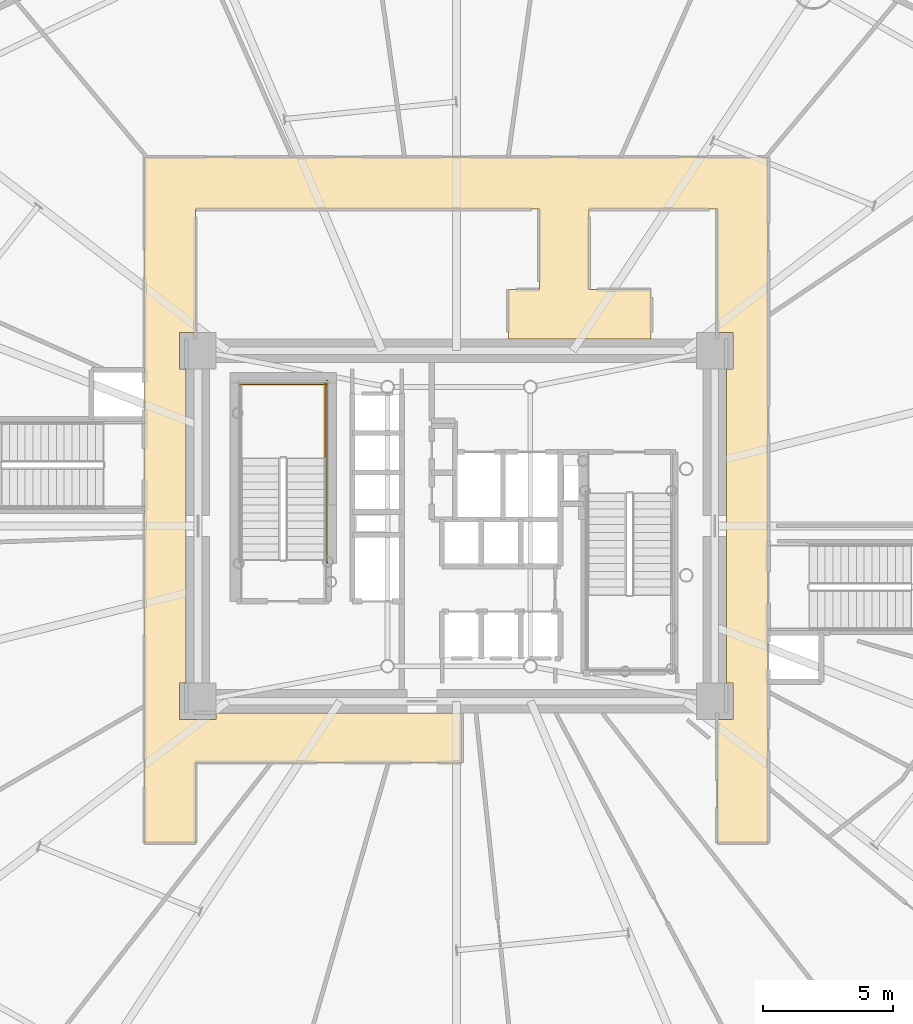
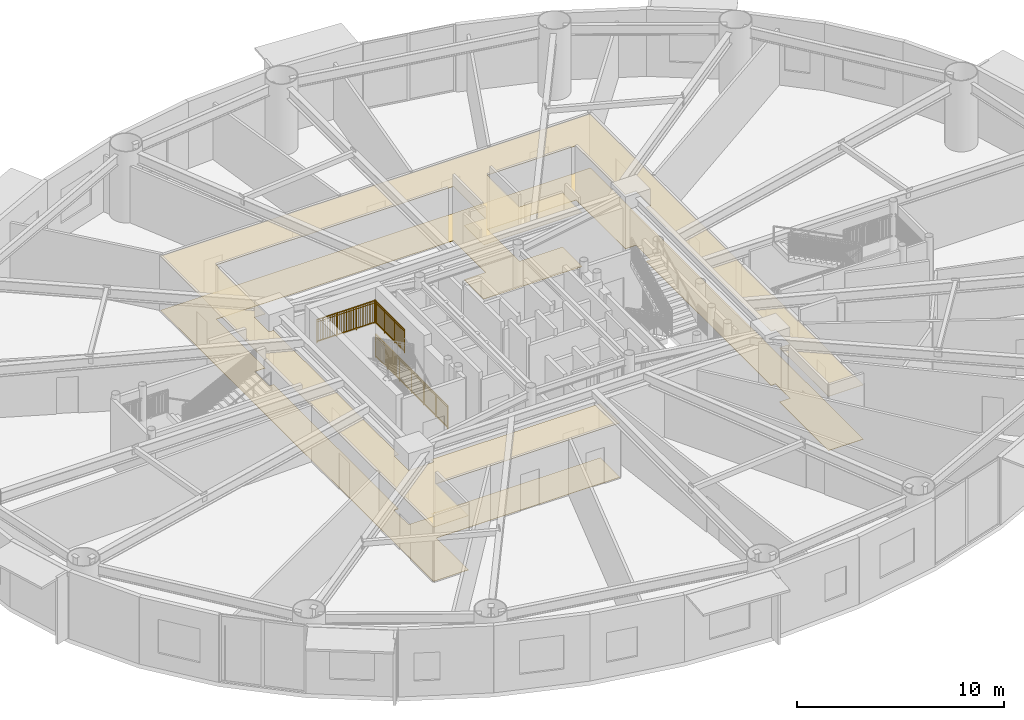
# One storey, part 26 of 32: 3 railings, 2 coverings.
"""IFC4 building model written with IfcOpenShell, lengths in metres."""

from ifc_helpers import new_model, si_unit, direction, frame, origin, origin_2d, place, context, subcontext, project, spatial, polyline, rectangle, outline, extrude, source, transform, mapped, material, layer, layer_set, type_object, element, save


model = new_model("IFC4")

# Units and contexts
model_context = context("Model", 3, precision=1e-05, world=origin(), true_north=direction((0.0, 1.0)))
body_context = subcontext(model_context, "Body", "Model", "MODEL_VIEW")
ifc_project = project(units=[si_unit("LENGTHUNIT", "METRE"), si_unit("AREAUNIT", "SQUARE_METRE"), si_unit("VOLUMEUNIT", "CUBIC_METRE"), si_unit("PLANEANGLEUNIT", "RADIAN"), si_unit("MASSUNIT", "GRAM", prefix="KILO")], contexts=[model_context])

# Site, building, storey
site_placement = place(None, origin())
site = spatial("IfcSite", under=ifc_project, at=site_placement, CompositionType="ELEMENT")
building_placement = place(site_placement, origin())
building = spatial("IfcBuilding", under=site, at=building_placement, Name="Linh Dai School and Residence Tower", CompositionType="ELEMENT")
storey_placement = place(building_placement, frame((0.0, 0.0, 53.39990234375)))
storey = spatial("IfcBuildingStorey", under=building, at=storey_placement, Name="L12", CompositionType="ELEMENT", Elevation=53.39990234375)

# Coverings
ifc_material_1 = material(Name="Mineral Fibre Acoustic Suspended Ceiling", Category="masonry")
ifc_layer_1 = layer(ifc_material_1, 0.02001953125)
ifc_layer_set_1 = layer_set([ifc_layer_1], Name="Mineral Fibre Acoustic Suspended Ceiling")
covering_type_1 = type_object("IfcCoveringType", Name="COV-CEIL-AC-20", PredefinedType="CEILING", material=ifc_layer_set_1)
covering_1_placement = place(storey_placement, frame((0.0, 0.0, 3.2001953125)))
element("IfcCovering", 1, at=covering_1_placement, inside=storey, type_object=covering_type_1, Name="L12 School Circulation Ring Corridor Suspended Ceiling", PredefinedType="CEILING", context=body_context, shape_type="SweptSolid", body=[
    extrude(outline(polyline([(24.0, 41.199951171875), (48.0, 41.199951171875), (48.0, 14.800048828125), (46.050048828125, 14.800048828125), (46.050048828125, 19.550048828125), (46.64990234375, 19.550048828125), (46.64990234375, 20.949951171875), (46.39990234375, 20.949951171875), (46.39990234375, 33.050048828125), (46.64990234375, 33.050048828125), (46.64990234375, 34.449951171875), (46.050048828125, 34.449951171875), (46.050048828125, 39.199951171875), (41.10009765625, 39.199951171875), (41.10009765625, 36.10009765625), (43.5, 36.10009765625), (43.5, 34.199951171875), (38.0, 34.199951171875), (38.0, 36.10009765625), (39.199951171875, 36.10009765625), (39.199951171875, 39.199951171875), (25.949951171875, 39.199951171875), (25.949951171875, 34.449951171875), (25.35009765625, 34.449951171875), (25.35009765625, 33.050048828125), (25.60009765625, 33.050048828125), (25.60009765625, 20.949951171875), (25.35009765625, 20.949951171875), (25.35009765625, 19.550048828125), (26.75, 19.550048828125), (26.75, 19.800048828125), (36.199951171875, 19.800048828125), (36.199951171875, 17.89990234375), (25.949951171875, 17.89990234375), (25.949951171875, 14.800048828125), (24.0, 14.800048828125), (24.0, 41.199951171875)])), origin(), (0.0, 0.0, 1.0), 0.02001953125),
])
ifc_material_2 = material(Name="Polished Terrazzo Floor Finish", Category="masonry")
ifc_layer_2 = layer(ifc_material_2, 0.02490234375)
ifc_layer_set_2 = layer_set([ifc_layer_2], Name="Polished Terrazzo Floor Finish")
covering_type_2 = type_object("IfcCoveringType", Name="COV-FLR-TRZ-25", PredefinedType="FLOORING", material=ifc_layer_set_2)
covering_2_placement = place(storey_placement, origin())
element("IfcCovering", 2, at=covering_2_placement, inside=storey, type_object=covering_type_2, Name="L12 School Circulation Ring Corridor Floor Finish", PredefinedType="FLOORING", context=body_context, shape_type="SweptSolid", body=[
    extrude(outline(polyline([(24.0, 41.199951171875), (48.0, 41.199951171875), (48.0, 14.800048828125), (46.050048828125, 14.800048828125), (46.050048828125, 19.550048828125), (46.64990234375, 19.550048828125), (46.64990234375, 20.949951171875), (46.39990234375, 20.949951171875), (46.39990234375, 33.050048828125), (46.64990234375, 33.050048828125), (46.64990234375, 34.449951171875), (46.050048828125, 34.449951171875), (46.050048828125, 39.199951171875), (41.10009765625, 39.199951171875), (41.10009765625, 36.10009765625), (43.5, 36.10009765625), (43.5, 34.199951171875), (38.0, 34.199951171875), (38.0, 36.10009765625), (39.199951171875, 36.10009765625), (39.199951171875, 39.199951171875), (25.949951171875, 39.199951171875), (25.949951171875, 34.449951171875), (25.35009765625, 34.449951171875), (25.35009765625, 33.050048828125), (25.60009765625, 33.050048828125), (25.60009765625, 20.949951171875), (25.35009765625, 20.949951171875), (25.35009765625, 19.550048828125), (26.75, 19.550048828125), (26.75, 19.800048828125), (36.199951171875, 19.800048828125), (36.199951171875, 17.89990234375), (25.949951171875, 17.89990234375), (25.949951171875, 14.800048828125), (24.0, 14.800048828125), (24.0, 41.199951171875)])), origin(), (0.0, 0.0, 1.0), 0.02001953125),
])

# Railings
ifc_material_3 = material(Name="Structural Steel S355JR", Category="steel")
railing_type = type_object("IfcRailingType", Name="RL-ST-GUARD-1400", PredefinedType="GUARDRAIL", material=ifc_material_3)
shared_shape_1 = source(origin(), body_context, "Body", "SweptSolid", [
    extrude(rectangle(XDim=0.048095703125, YDim=0.048095703125, at=origin_2d()), frame((0.0, 0.0, 1.3759765625), z_axis=(-1.0, 0.0, 0.0), x_axis=(0.0, -1.0, 0.0)), (0.0, 0.0, 1.0), 3.300048828125),
    extrude(rectangle(XDim=0.048095703125, YDim=0.048095703125, at=origin_2d()), frame((0.0, 0.0, 0.10009765625), z_axis=(-1.0, 0.0, 0.0), x_axis=(0.0, -1.0, 0.0)), (0.0, 0.0, 1.0), 3.300048828125),
    extrude(rectangle(XDim=0.030029296875, YDim=0.030029296875, at=origin_2d()), frame((0.0, 0.0, 1.239990234375), z_axis=(-1.0, 0.0, 0.0), x_axis=(0.0, -1.0, 0.0)), (0.0, 0.0, 1.0), 3.300048828125),
    extrude(rectangle(XDim=0.02001953125, YDim=0.02001953125, at=origin_2d()), frame((-0.09716796875, 0.0, 0.10009765625)), (0.0, 0.0, 1.0), 1.251708984375),
    extrude(rectangle(XDim=0.02001953125, YDim=0.02001953125, at=origin_2d()), frame((-0.194091796875, 0.0, 0.10009765625)), (0.0, 0.0, 1.0), 1.251708984375),
    extrude(rectangle(XDim=0.02001953125, YDim=0.02001953125, at=origin_2d()), frame((-0.291259765625, 0.0, 0.10009765625)), (0.0, 0.0, 1.0), 1.251708984375),
    extrude(rectangle(XDim=0.02001953125, YDim=0.02001953125, at=origin_2d()), frame((-0.38818359375, 0.0, 0.10009765625)), (0.0, 0.0, 1.0), 1.251708984375),
    extrude(rectangle(XDim=0.02001953125, YDim=0.02001953125, at=origin_2d()), frame((-0.4853515625, 0.0, 0.10009765625)), (0.0, 0.0, 1.0), 1.251708984375),
    extrude(rectangle(XDim=0.02001953125, YDim=0.02001953125, at=origin_2d()), frame((-0.582275390625, 0.0, 0.10009765625)), (0.0, 0.0, 1.0), 1.251708984375),
    extrude(rectangle(XDim=0.02001953125, YDim=0.02001953125, at=origin_2d()), frame((-0.679443359375, 0.0, 0.10009765625)), (0.0, 0.0, 1.0), 1.251708984375),
    extrude(rectangle(XDim=0.02001953125, YDim=0.02001953125, at=origin_2d()), frame((-0.7763671875, 0.0, 0.10009765625)), (0.0, 0.0, 1.0), 1.251708984375),
    extrude(rectangle(XDim=0.02001953125, YDim=0.02001953125, at=origin_2d()), frame((-0.87353515625, 0.0, 0.10009765625)), (0.0, 0.0, 1.0), 1.251708984375),
    extrude(rectangle(XDim=0.02001953125, YDim=0.02001953125, at=origin_2d()), frame((-0.970703125, 0.0, 0.10009765625)), (0.0, 0.0, 1.0), 1.251708984375),
    extrude(rectangle(XDim=0.02001953125, YDim=0.02001953125, at=origin_2d()), frame((-1.164794921875, 0.0, 0.10009765625)), (0.0, 0.0, 1.0), 1.251708984375),
    extrude(rectangle(XDim=0.02001953125, YDim=0.02001953125, at=origin_2d()), frame((-1.26171875, 0.0, 0.10009765625)), (0.0, 0.0, 1.0), 1.251708984375),
    extrude(rectangle(XDim=0.02001953125, YDim=0.02001953125, at=origin_2d()), frame((-1.35888671875, 0.0, 0.10009765625)), (0.0, 0.0, 1.0), 1.251708984375),
    extrude(rectangle(XDim=0.02001953125, YDim=0.02001953125, at=origin_2d()), frame((-1.455810546875, 0.0, 0.10009765625)), (0.0, 0.0, 1.0), 1.251708984375),
    extrude(rectangle(XDim=0.02001953125, YDim=0.02001953125, at=origin_2d()), frame((-1.552978515625, 0.0, 0.10009765625)), (0.0, 0.0, 1.0), 1.251708984375),
    extrude(rectangle(XDim=0.02001953125, YDim=0.02001953125, at=origin_2d()), frame((-1.64990234375, 0.0, 0.10009765625)), (0.0, 0.0, 1.0), 1.251708984375),
    extrude(rectangle(XDim=0.02001953125, YDim=0.02001953125, at=origin_2d()), frame((-1.7470703125, 0.0, 0.10009765625)), (0.0, 0.0, 1.0), 1.251708984375),
    extrude(rectangle(XDim=0.02001953125, YDim=0.02001953125, at=origin_2d()), frame((-1.84423828125, 0.0, 0.10009765625)), (0.0, 0.0, 1.0), 1.251708984375),
    extrude(rectangle(XDim=0.02001953125, YDim=0.02001953125, at=origin_2d()), frame((-1.941162109375, 0.0, 0.10009765625)), (0.0, 0.0, 1.0), 1.251708984375),
    extrude(rectangle(XDim=0.02001953125, YDim=0.02001953125, at=origin_2d()), frame((-2.038330078125, 0.0, 0.10009765625)), (0.0, 0.0, 1.0), 1.251708984375),
    extrude(rectangle(XDim=0.02001953125, YDim=0.02001953125, at=origin_2d()), frame((-2.13525390625, 0.0, 0.10009765625)), (0.0, 0.0, 1.0), 1.251708984375),
    extrude(rectangle(XDim=0.02001953125, YDim=0.02001953125, at=origin_2d()), frame((-2.329345703125, 0.0, 0.10009765625)), (0.0, 0.0, 1.0), 1.251708984375),
    extrude(rectangle(XDim=0.02001953125, YDim=0.02001953125, at=origin_2d()), frame((-2.426513671875, 0.0, 0.10009765625)), (0.0, 0.0, 1.0), 1.251708984375),
    extrude(rectangle(XDim=0.02001953125, YDim=0.02001953125, at=origin_2d()), frame((-2.523681640625, 0.0, 0.10009765625)), (0.0, 0.0, 1.0), 1.251708984375),
    extrude(rectangle(XDim=0.02001953125, YDim=0.02001953125, at=origin_2d()), frame((-2.62060546875, 0.0, 0.10009765625)), (0.0, 0.0, 1.0), 1.251708984375),
    extrude(rectangle(XDim=0.02001953125, YDim=0.02001953125, at=origin_2d()), frame((-2.7177734375, 0.0, 0.10009765625)), (0.0, 0.0, 1.0), 1.251708984375),
    extrude(rectangle(XDim=0.02001953125, YDim=0.02001953125, at=origin_2d()), frame((-2.814697265625, 0.0, 0.10009765625)), (0.0, 0.0, 1.0), 1.251708984375),
    extrude(rectangle(XDim=0.02001953125, YDim=0.02001953125, at=origin_2d()), frame((-2.911865234375, 0.0, 0.10009765625)), (0.0, 0.0, 1.0), 1.251708984375),
    extrude(rectangle(XDim=0.02001953125, YDim=0.02001953125, at=origin_2d()), frame((-3.0087890625, 0.0, 0.10009765625)), (0.0, 0.0, 1.0), 1.251708984375),
    extrude(rectangle(XDim=0.02001953125, YDim=0.02001953125, at=origin_2d()), frame((-3.10595703125, 0.0, 0.10009765625)), (0.0, 0.0, 1.0), 1.251708984375),
    extrude(rectangle(XDim=0.02001953125, YDim=0.02001953125, at=origin_2d()), frame((-3.202880859375, 0.0, 0.10009765625)), (0.0, 0.0, 1.0), 1.251708984375),
    extrude(rectangle(XDim=0.0419921875, YDim=0.0419921875, at=origin_2d()), origin(), (0.0, 0.0, 1.0), 1.3759765625),
    extrude(rectangle(XDim=0.0419921875, YDim=0.0419921875, at=origin_2d()), frame((-1.10009765625, 0.0, 0.0)), (0.0, 0.0, 1.0), 1.3759765625),
    extrude(rectangle(XDim=0.0419921875, YDim=0.0419921875, at=origin_2d()), frame((-2.199951171875, 0.0, 0.0)), (0.0, 0.0, 1.0), 1.3759765625),
    extrude(rectangle(XDim=0.0419921875, YDim=0.0419921875, at=origin_2d()), frame((-3.300048828125, 0.0, 0.0)), (0.0, 0.0, 1.0), 1.3759765625),
])
railing_1_placement = place(storey_placement, frame((30.97998046875, 32.449951171875, 2.10009765625)))
element("IfcRailing", 3, at=railing_1_placement, inside=storey, type_object=railing_type, Name="L12 ST1 stair guard 5", PredefinedType="GUARDRAIL", context=body_context, shape_type="MappedRepresentation", body=[
    mapped(shared_shape_1, transform((0.0, 0.0, 0.0), x_axis=(1.0, 0.0, 0.0), y_axis=(0.0, 1.0, 0.0), z_axis=(0.0, 0.0, 1.0), scale=1.0)),
])
shared_shape_2 = source(origin(), body_context, "Body", "SweptSolid", [
    extrude(rectangle(XDim=0.048095703125, YDim=0.048095703125, at=origin_2d()), frame((0.0, 0.0, 1.3759765625), z_axis=(0.0, 1.0, 0.0), x_axis=(-1.0, 0.0, 0.0)), (0.0, 0.0, 1.0), 7.0),
    extrude(rectangle(XDim=0.048095703125, YDim=0.048095703125, at=origin_2d()), frame((0.0, 0.0, 0.10009765625), z_axis=(0.0, 1.0, 0.0), x_axis=(-1.0, 0.0, 0.0)), (0.0, 0.0, 1.0), 7.0),
    extrude(rectangle(XDim=0.030029296875, YDim=0.030029296875, at=origin_2d()), frame((0.0, 0.0, 1.239990234375), z_axis=(0.0, 1.0, 0.0), x_axis=(-1.0, 0.0, 0.0)), (0.0, 0.0, 1.0), 7.0),
    extrude(rectangle(XDim=0.02001953125, YDim=0.02001953125, at=origin_2d()), frame((0.0, 0.09716796875, 0.10009765625)), (0.0, 0.0, 1.0), 1.251708984375),
    extrude(rectangle(XDim=0.02001953125, YDim=0.02001953125, at=origin_2d()), frame((0.0, 0.1943359375, 0.10009765625)), (0.0, 0.0, 1.0), 1.251708984375),
    extrude(rectangle(XDim=0.02001953125, YDim=0.02001953125, at=origin_2d()), frame((0.0, 0.291748046875, 0.10009765625)), (0.0, 0.0, 1.0), 1.251708984375),
    extrude(rectangle(XDim=0.02001953125, YDim=0.02001953125, at=origin_2d()), frame((0.0, 0.388916015625, 0.10009765625)), (0.0, 0.0, 1.0), 1.251708984375),
    extrude(rectangle(XDim=0.02001953125, YDim=0.02001953125, at=origin_2d()), frame((0.0, 0.486083984375, 0.10009765625)), (0.0, 0.0, 1.0), 1.251708984375),
    extrude(rectangle(XDim=0.02001953125, YDim=0.02001953125, at=origin_2d()), frame((0.0, 0.583251953125, 0.10009765625)), (0.0, 0.0, 1.0), 1.251708984375),
    extrude(rectangle(XDim=0.02001953125, YDim=0.02001953125, at=origin_2d()), frame((0.0, 0.6806640625, 0.10009765625)), (0.0, 0.0, 1.0), 1.251708984375),
    extrude(rectangle(XDim=0.02001953125, YDim=0.02001953125, at=origin_2d()), frame((0.0, 0.77783203125, 0.10009765625)), (0.0, 0.0, 1.0), 1.251708984375),
    extrude(rectangle(XDim=0.02001953125, YDim=0.02001953125, at=origin_2d()), frame((0.0, 0.875, 0.10009765625)), (0.0, 0.0, 1.0), 1.251708984375),
    extrude(rectangle(XDim=0.02001953125, YDim=0.02001953125, at=origin_2d()), frame((0.0, 0.97216796875, 0.10009765625)), (0.0, 0.0, 1.0), 1.251708984375),
    extrude(rectangle(XDim=0.02001953125, YDim=0.02001953125, at=origin_2d()), frame((0.0, 1.0693359375, 0.10009765625)), (0.0, 0.0, 1.0), 1.251708984375),
    extrude(rectangle(XDim=0.02001953125, YDim=0.02001953125, at=origin_2d()), frame((0.0, 1.263916015625, 0.10009765625)), (0.0, 0.0, 1.0), 1.251708984375),
    extrude(rectangle(XDim=0.02001953125, YDim=0.02001953125, at=origin_2d()), frame((0.0, 1.361083984375, 0.10009765625)), (0.0, 0.0, 1.0), 1.251708984375),
    extrude(rectangle(XDim=0.02001953125, YDim=0.02001953125, at=origin_2d()), frame((0.0, 1.458251953125, 0.10009765625)), (0.0, 0.0, 1.0), 1.251708984375),
    extrude(rectangle(XDim=0.02001953125, YDim=0.02001953125, at=origin_2d()), frame((0.0, 1.5556640625, 0.10009765625)), (0.0, 0.0, 1.0), 1.251708984375),
    extrude(rectangle(XDim=0.02001953125, YDim=0.02001953125, at=origin_2d()), frame((0.0, 1.65283203125, 0.10009765625)), (0.0, 0.0, 1.0), 1.251708984375),
    extrude(rectangle(XDim=0.02001953125, YDim=0.02001953125, at=origin_2d()), frame((0.0, 1.75, 0.10009765625)), (0.0, 0.0, 1.0), 1.251708984375),
    extrude(rectangle(XDim=0.02001953125, YDim=0.02001953125, at=origin_2d()), frame((0.0, 1.84716796875, 0.10009765625)), (0.0, 0.0, 1.0), 1.251708984375),
    extrude(rectangle(XDim=0.02001953125, YDim=0.02001953125, at=origin_2d()), frame((0.0, 1.9443359375, 0.10009765625)), (0.0, 0.0, 1.0), 1.251708984375),
    extrude(rectangle(XDim=0.02001953125, YDim=0.02001953125, at=origin_2d()), frame((0.0, 2.041748046875, 0.10009765625)), (0.0, 0.0, 1.0), 1.251708984375),
    extrude(rectangle(XDim=0.02001953125, YDim=0.02001953125, at=origin_2d()), frame((0.0, 2.138916015625, 0.10009765625)), (0.0, 0.0, 1.0), 1.251708984375),
    extrude(rectangle(XDim=0.02001953125, YDim=0.02001953125, at=origin_2d()), frame((0.0, 2.236083984375, 0.10009765625)), (0.0, 0.0, 1.0), 1.251708984375),
    extrude(rectangle(XDim=0.02001953125, YDim=0.02001953125, at=origin_2d()), frame((0.0, 2.4306640625, 0.10009765625)), (0.0, 0.0, 1.0), 1.251708984375),
    extrude(rectangle(XDim=0.02001953125, YDim=0.02001953125, at=origin_2d()), frame((0.0, 2.52783203125, 0.10009765625)), (0.0, 0.0, 1.0), 1.251708984375),
    extrude(rectangle(XDim=0.02001953125, YDim=0.02001953125, at=origin_2d()), frame((0.0, 2.625, 0.10009765625)), (0.0, 0.0, 1.0), 1.251708984375),
    extrude(rectangle(XDim=0.02001953125, YDim=0.02001953125, at=origin_2d()), frame((0.0, 2.72216796875, 0.10009765625)), (0.0, 0.0, 1.0), 1.251708984375),
    extrude(rectangle(XDim=0.02001953125, YDim=0.02001953125, at=origin_2d()), frame((0.0, 2.8193359375, 0.10009765625)), (0.0, 0.0, 1.0), 1.251708984375),
    extrude(rectangle(XDim=0.02001953125, YDim=0.02001953125, at=origin_2d()), frame((0.0, 2.916748046875, 0.10009765625)), (0.0, 0.0, 1.0), 1.251708984375),
    extrude(rectangle(XDim=0.02001953125, YDim=0.02001953125, at=origin_2d()), frame((0.0, 3.013916015625, 0.10009765625)), (0.0, 0.0, 1.0), 1.251708984375),
    extrude(rectangle(XDim=0.02001953125, YDim=0.02001953125, at=origin_2d()), frame((0.0, 3.111083984375, 0.10009765625)), (0.0, 0.0, 1.0), 1.251708984375),
    extrude(rectangle(XDim=0.02001953125, YDim=0.02001953125, at=origin_2d()), frame((0.0, 3.208251953125, 0.10009765625)), (0.0, 0.0, 1.0), 1.251708984375),
    extrude(rectangle(XDim=0.02001953125, YDim=0.02001953125, at=origin_2d()), frame((0.0, 3.3056640625, 0.10009765625)), (0.0, 0.0, 1.0), 1.251708984375),
    extrude(rectangle(XDim=0.02001953125, YDim=0.02001953125, at=origin_2d()), frame((0.0, 3.40283203125, 0.10009765625)), (0.0, 0.0, 1.0), 1.251708984375),
    extrude(rectangle(XDim=0.02001953125, YDim=0.02001953125, at=origin_2d()), frame((0.0, 3.59716796875, 0.10009765625)), (0.0, 0.0, 1.0), 1.251708984375),
    extrude(rectangle(XDim=0.02001953125, YDim=0.02001953125, at=origin_2d()), frame((0.0, 3.6943359375, 0.10009765625)), (0.0, 0.0, 1.0), 1.251708984375),
    extrude(rectangle(XDim=0.02001953125, YDim=0.02001953125, at=origin_2d()), frame((0.0, 3.791748046875, 0.10009765625)), (0.0, 0.0, 1.0), 1.251708984375),
    extrude(rectangle(XDim=0.02001953125, YDim=0.02001953125, at=origin_2d()), frame((0.0, 3.888916015625, 0.10009765625)), (0.0, 0.0, 1.0), 1.251708984375),
    extrude(rectangle(XDim=0.02001953125, YDim=0.02001953125, at=origin_2d()), frame((0.0, 3.986083984375, 0.10009765625)), (0.0, 0.0, 1.0), 1.251708984375),
    extrude(rectangle(XDim=0.02001953125, YDim=0.02001953125, at=origin_2d()), frame((0.0, 4.083251953125, 0.10009765625)), (0.0, 0.0, 1.0), 1.251708984375),
    extrude(rectangle(XDim=0.02001953125, YDim=0.02001953125, at=origin_2d()), frame((0.0, 4.1806640625, 0.10009765625)), (0.0, 0.0, 1.0), 1.251708984375),
    extrude(rectangle(XDim=0.02001953125, YDim=0.02001953125, at=origin_2d()), frame((0.0, 4.27783203125, 0.10009765625)), (0.0, 0.0, 1.0), 1.251708984375),
    extrude(rectangle(XDim=0.02001953125, YDim=0.02001953125, at=origin_2d()), frame((0.0, 4.375, 0.10009765625)), (0.0, 0.0, 1.0), 1.251708984375),
    extrude(rectangle(XDim=0.02001953125, YDim=0.02001953125, at=origin_2d()), frame((0.0, 4.47216796875, 0.10009765625)), (0.0, 0.0, 1.0), 1.251708984375),
    extrude(rectangle(XDim=0.02001953125, YDim=0.02001953125, at=origin_2d()), frame((0.0, 4.5693359375, 0.10009765625)), (0.0, 0.0, 1.0), 1.251708984375),
    extrude(rectangle(XDim=0.02001953125, YDim=0.02001953125, at=origin_2d()), frame((0.0, 4.763916015625, 0.10009765625)), (0.0, 0.0, 1.0), 1.251708984375),
    extrude(rectangle(XDim=0.02001953125, YDim=0.02001953125, at=origin_2d()), frame((0.0, 4.861083984375, 0.10009765625)), (0.0, 0.0, 1.0), 1.251708984375),
    extrude(rectangle(XDim=0.02001953125, YDim=0.02001953125, at=origin_2d()), frame((0.0, 4.958251953125, 0.10009765625)), (0.0, 0.0, 1.0), 1.251708984375),
    extrude(rectangle(XDim=0.02001953125, YDim=0.02001953125, at=origin_2d()), frame((0.0, 5.0556640625, 0.10009765625)), (0.0, 0.0, 1.0), 1.251708984375),
    extrude(rectangle(XDim=0.02001953125, YDim=0.02001953125, at=origin_2d()), frame((0.0, 5.15283203125, 0.10009765625)), (0.0, 0.0, 1.0), 1.251708984375),
    extrude(rectangle(XDim=0.02001953125, YDim=0.02001953125, at=origin_2d()), frame((0.0, 5.25, 0.10009765625)), (0.0, 0.0, 1.0), 1.251708984375),
    extrude(rectangle(XDim=0.02001953125, YDim=0.02001953125, at=origin_2d()), frame((0.0, 5.34716796875, 0.10009765625)), (0.0, 0.0, 1.0), 1.251708984375),
    extrude(rectangle(XDim=0.02001953125, YDim=0.02001953125, at=origin_2d()), frame((0.0, 5.4443359375, 0.10009765625)), (0.0, 0.0, 1.0), 1.251708984375),
    extrude(rectangle(XDim=0.02001953125, YDim=0.02001953125, at=origin_2d()), frame((0.0, 5.541748046875, 0.10009765625)), (0.0, 0.0, 1.0), 1.251708984375),
    extrude(rectangle(XDim=0.02001953125, YDim=0.02001953125, at=origin_2d()), frame((0.0, 5.638916015625, 0.10009765625)), (0.0, 0.0, 1.0), 1.251708984375),
    extrude(rectangle(XDim=0.02001953125, YDim=0.02001953125, at=origin_2d()), frame((0.0, 5.736083984375, 0.10009765625)), (0.0, 0.0, 1.0), 1.251708984375),
    extrude(rectangle(XDim=0.02001953125, YDim=0.02001953125, at=origin_2d()), frame((0.0, 5.9306640625, 0.10009765625)), (0.0, 0.0, 1.0), 1.251708984375),
    extrude(rectangle(XDim=0.02001953125, YDim=0.02001953125, at=origin_2d()), frame((0.0, 6.02783203125, 0.10009765625)), (0.0, 0.0, 1.0), 1.251708984375),
    extrude(rectangle(XDim=0.02001953125, YDim=0.02001953125, at=origin_2d()), frame((0.0, 6.125, 0.10009765625)), (0.0, 0.0, 1.0), 1.251708984375),
    extrude(rectangle(XDim=0.02001953125, YDim=0.02001953125, at=origin_2d()), frame((0.0, 6.22216796875, 0.10009765625)), (0.0, 0.0, 1.0), 1.251708984375),
    extrude(rectangle(XDim=0.02001953125, YDim=0.02001953125, at=origin_2d()), frame((0.0, 6.3193359375, 0.10009765625)), (0.0, 0.0, 1.0), 1.251708984375),
    extrude(rectangle(XDim=0.02001953125, YDim=0.02001953125, at=origin_2d()), frame((0.0, 6.416748046875, 0.10009765625)), (0.0, 0.0, 1.0), 1.251708984375),
    extrude(rectangle(XDim=0.02001953125, YDim=0.02001953125, at=origin_2d()), frame((0.0, 6.513916015625, 0.10009765625)), (0.0, 0.0, 1.0), 1.251708984375),
    extrude(rectangle(XDim=0.02001953125, YDim=0.02001953125, at=origin_2d()), frame((0.0, 6.611083984375, 0.10009765625)), (0.0, 0.0, 1.0), 1.251708984375),
    extrude(rectangle(XDim=0.02001953125, YDim=0.02001953125, at=origin_2d()), frame((0.0, 6.708251953125, 0.10009765625)), (0.0, 0.0, 1.0), 1.251708984375),
    extrude(rectangle(XDim=0.02001953125, YDim=0.02001953125, at=origin_2d()), frame((0.0, 6.8056640625, 0.10009765625)), (0.0, 0.0, 1.0), 1.251708984375),
    extrude(rectangle(XDim=0.02001953125, YDim=0.02001953125, at=origin_2d()), frame((0.0, 6.90283203125, 0.10009765625)), (0.0, 0.0, 1.0), 1.251708984375),
    extrude(rectangle(XDim=0.0419921875, YDim=0.0419921875, at=origin_2d()), origin(), (0.0, 0.0, 1.0), 1.3759765625),
    extrude(rectangle(XDim=0.0419921875, YDim=0.0419921875, at=origin_2d()), frame((0.0, 1.166748046875, 0.0)), (0.0, 0.0, 1.0), 1.3759765625),
    extrude(rectangle(XDim=0.0419921875, YDim=0.0419921875, at=origin_2d()), frame((0.0, 2.333251953125, 0.0)), (0.0, 0.0, 1.0), 1.3759765625),
    extrude(rectangle(XDim=0.0419921875, YDim=0.0419921875, at=origin_2d()), frame((0.0, 3.5, 0.0)), (0.0, 0.0, 1.0), 1.3759765625),
    extrude(rectangle(XDim=0.0419921875, YDim=0.0419921875, at=origin_2d()), frame((0.0, 4.666748046875, 0.0)), (0.0, 0.0, 1.0), 1.3759765625),
    extrude(rectangle(XDim=0.0419921875, YDim=0.0419921875, at=origin_2d()), frame((0.0, 5.833251953125, 0.0)), (0.0, 0.0, 1.0), 1.3759765625),
    extrude(rectangle(XDim=0.0419921875, YDim=0.0419921875, at=origin_2d()), frame((0.0, 7.0, 0.0)), (0.0, 0.0, 1.0), 1.3759765625),
])
railing_2_placement = place(storey_placement, frame((31.030029296875, 25.60009765625, 0.0)))
element("IfcRailing", 4, at=railing_2_placement, inside=storey, type_object=railing_type, Name="L12 ST1 stair guard 10", PredefinedType="GUARDRAIL", context=body_context, shape_type="MappedRepresentation", body=[
    mapped(shared_shape_2, transform((0.0, 0.0, 0.0), x_axis=(1.0, 0.0, 0.0), y_axis=(0.0, 1.0, 0.0), z_axis=(0.0, 0.0, 1.0), scale=1.0)),
])
shared_shape_3 = source(origin(), body_context, "Body", "SweptSolid", [
    extrude(rectangle(XDim=0.048095703125, YDim=0.048095703125, at=origin_2d()), frame((0.0, 0.0, 1.3759765625), z_axis=(0.0, 1.0, 0.0), x_axis=(-1.0, 0.0, 0.0)), (0.0, 0.0, 1.0), 2.89990234375),
    extrude(rectangle(XDim=0.048095703125, YDim=0.048095703125, at=origin_2d()), frame((0.0, 0.0, 0.10009765625), z_axis=(0.0, 1.0, 0.0), x_axis=(-1.0, 0.0, 0.0)), (0.0, 0.0, 1.0), 2.89990234375),
    extrude(rectangle(XDim=0.030029296875, YDim=0.030029296875, at=origin_2d()), frame((0.0, 0.0, 1.239990234375), z_axis=(0.0, 1.0, 0.0), x_axis=(-1.0, 0.0, 0.0)), (0.0, 0.0, 1.0), 2.89990234375),
    extrude(rectangle(XDim=0.02001953125, YDim=0.02001953125, at=origin_2d()), frame((0.0, 0.0966796875, 0.10009765625)), (0.0, 0.0, 1.0), 1.251708984375),
    extrude(rectangle(XDim=0.02001953125, YDim=0.02001953125, at=origin_2d()), frame((0.0, 0.193359375, 0.10009765625)), (0.0, 0.0, 1.0), 1.251708984375),
    extrude(rectangle(XDim=0.02001953125, YDim=0.02001953125, at=origin_2d()), frame((0.0, 0.2900390625, 0.10009765625)), (0.0, 0.0, 1.0), 1.251708984375),
    extrude(rectangle(XDim=0.02001953125, YDim=0.02001953125, at=origin_2d()), frame((0.0, 0.38671875, 0.10009765625)), (0.0, 0.0, 1.0), 1.251708984375),
    extrude(rectangle(XDim=0.02001953125, YDim=0.02001953125, at=origin_2d()), frame((0.0, 0.4833984375, 0.10009765625)), (0.0, 0.0, 1.0), 1.251708984375),
    extrude(rectangle(XDim=0.02001953125, YDim=0.02001953125, at=origin_2d()), frame((0.0, 0.580078125, 0.10009765625)), (0.0, 0.0, 1.0), 1.251708984375),
    extrude(rectangle(XDim=0.02001953125, YDim=0.02001953125, at=origin_2d()), frame((0.0, 0.6767578125, 0.10009765625)), (0.0, 0.0, 1.0), 1.251708984375),
    extrude(rectangle(XDim=0.02001953125, YDim=0.02001953125, at=origin_2d()), frame((0.0, 0.773193359375, 0.10009765625)), (0.0, 0.0, 1.0), 1.251708984375),
    extrude(rectangle(XDim=0.02001953125, YDim=0.02001953125, at=origin_2d()), frame((0.0, 0.869873046875, 0.10009765625)), (0.0, 0.0, 1.0), 1.251708984375),
    extrude(rectangle(XDim=0.02001953125, YDim=0.02001953125, at=origin_2d()), frame((0.0, 1.063232421875, 0.10009765625)), (0.0, 0.0, 1.0), 1.251708984375),
    extrude(rectangle(XDim=0.02001953125, YDim=0.02001953125, at=origin_2d()), frame((0.0, 1.159912109375, 0.10009765625)), (0.0, 0.0, 1.0), 1.251708984375),
    extrude(rectangle(XDim=0.02001953125, YDim=0.02001953125, at=origin_2d()), frame((0.0, 1.256591796875, 0.10009765625)), (0.0, 0.0, 1.0), 1.251708984375),
    extrude(rectangle(XDim=0.02001953125, YDim=0.02001953125, at=origin_2d()), frame((0.0, 1.353271484375, 0.10009765625)), (0.0, 0.0, 1.0), 1.251708984375),
    extrude(rectangle(XDim=0.02001953125, YDim=0.02001953125, at=origin_2d()), frame((0.0, 1.449951171875, 0.10009765625)), (0.0, 0.0, 1.0), 1.251708984375),
    extrude(rectangle(XDim=0.02001953125, YDim=0.02001953125, at=origin_2d()), frame((0.0, 1.546630859375, 0.10009765625)), (0.0, 0.0, 1.0), 1.251708984375),
    extrude(rectangle(XDim=0.02001953125, YDim=0.02001953125, at=origin_2d()), frame((0.0, 1.643310546875, 0.10009765625)), (0.0, 0.0, 1.0), 1.251708984375),
    extrude(rectangle(XDim=0.02001953125, YDim=0.02001953125, at=origin_2d()), frame((0.0, 1.739990234375, 0.10009765625)), (0.0, 0.0, 1.0), 1.251708984375),
    extrude(rectangle(XDim=0.02001953125, YDim=0.02001953125, at=origin_2d()), frame((0.0, 1.836669921875, 0.10009765625)), (0.0, 0.0, 1.0), 1.251708984375),
    extrude(rectangle(XDim=0.02001953125, YDim=0.02001953125, at=origin_2d()), frame((0.0, 2.030029296875, 0.10009765625)), (0.0, 0.0, 1.0), 1.251708984375),
    extrude(rectangle(XDim=0.02001953125, YDim=0.02001953125, at=origin_2d()), frame((0.0, 2.126708984375, 0.10009765625)), (0.0, 0.0, 1.0), 1.251708984375),
    extrude(rectangle(XDim=0.02001953125, YDim=0.02001953125, at=origin_2d()), frame((0.0, 2.22314453125, 0.10009765625)), (0.0, 0.0, 1.0), 1.251708984375),
    extrude(rectangle(XDim=0.02001953125, YDim=0.02001953125, at=origin_2d()), frame((0.0, 2.31982421875, 0.10009765625)), (0.0, 0.0, 1.0), 1.251708984375),
    extrude(rectangle(XDim=0.02001953125, YDim=0.02001953125, at=origin_2d()), frame((0.0, 2.41650390625, 0.10009765625)), (0.0, 0.0, 1.0), 1.251708984375),
    extrude(rectangle(XDim=0.02001953125, YDim=0.02001953125, at=origin_2d()), frame((0.0, 2.51318359375, 0.10009765625)), (0.0, 0.0, 1.0), 1.251708984375),
    extrude(rectangle(XDim=0.02001953125, YDim=0.02001953125, at=origin_2d()), frame((0.0, 2.60986328125, 0.10009765625)), (0.0, 0.0, 1.0), 1.251708984375),
    extrude(rectangle(XDim=0.02001953125, YDim=0.02001953125, at=origin_2d()), frame((0.0, 2.70654296875, 0.10009765625)), (0.0, 0.0, 1.0), 1.251708984375),
    extrude(rectangle(XDim=0.02001953125, YDim=0.02001953125, at=origin_2d()), frame((0.0, 2.80322265625, 0.10009765625)), (0.0, 0.0, 1.0), 1.251708984375),
    extrude(rectangle(XDim=0.0419921875, YDim=0.0419921875, at=origin_2d()), origin(), (0.0, 0.0, 1.0), 1.3759765625),
    extrude(rectangle(XDim=0.0419921875, YDim=0.0419921875, at=origin_2d()), frame((0.0, 0.966552734375, 0.0)), (0.0, 0.0, 1.0), 1.3759765625),
    extrude(rectangle(XDim=0.0419921875, YDim=0.0419921875, at=origin_2d()), frame((0.0, 1.933349609375, 0.0)), (0.0, 0.0, 1.0), 1.3759765625),
    extrude(rectangle(XDim=0.0419921875, YDim=0.0419921875, at=origin_2d()), frame((0.0, 2.89990234375, 0.0)), (0.0, 0.0, 1.0), 1.3759765625),
])
railing_3_placement = place(storey_placement, frame((30.929931640625, 29.60009765625, 2.10009765625)))
element("IfcRailing", 5, at=railing_3_placement, inside=storey, type_object=railing_type, Name="L12 ST1 stair guard 3", PredefinedType="GUARDRAIL", context=body_context, shape_type="MappedRepresentation", body=[
    mapped(shared_shape_3, transform((0.0, 0.0, 0.0), x_axis=(1.0, 0.0, 0.0), y_axis=(0.0, 1.0, 0.0), z_axis=(0.0, 0.0, 1.0), scale=1.0)),
])

save(model, "model.ifc")
